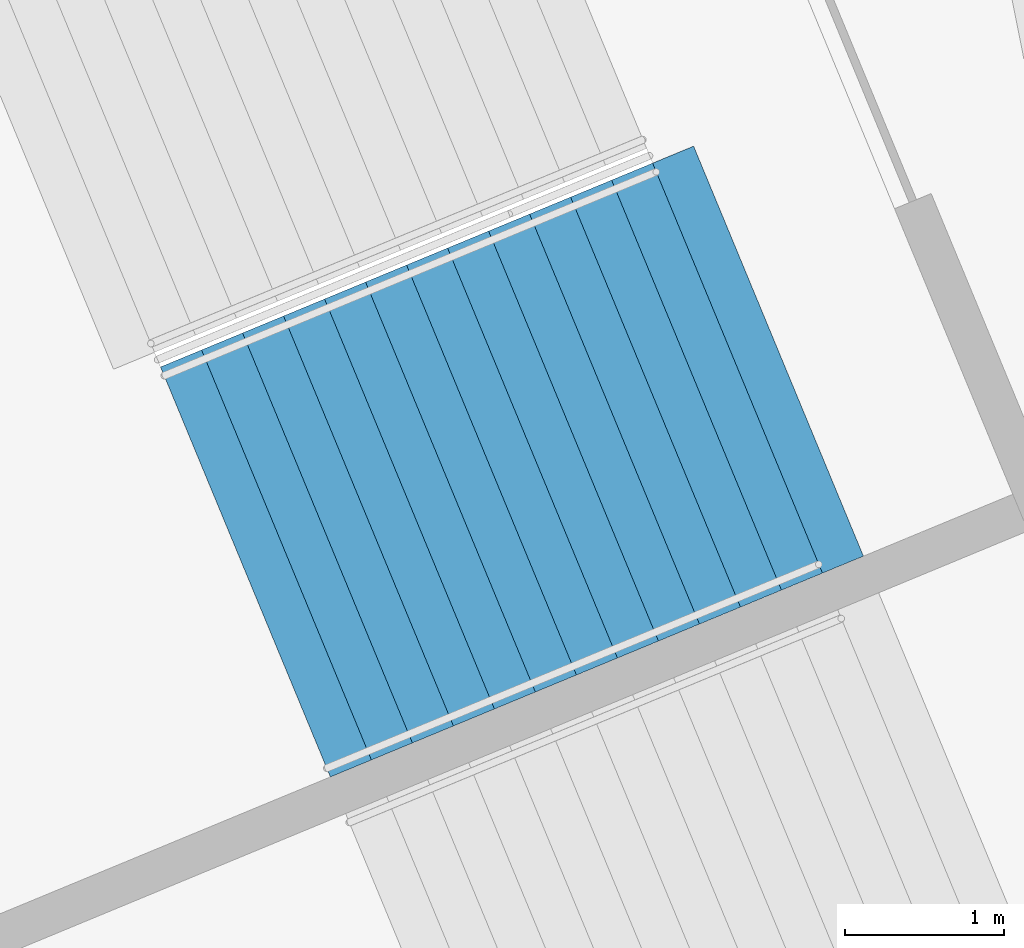
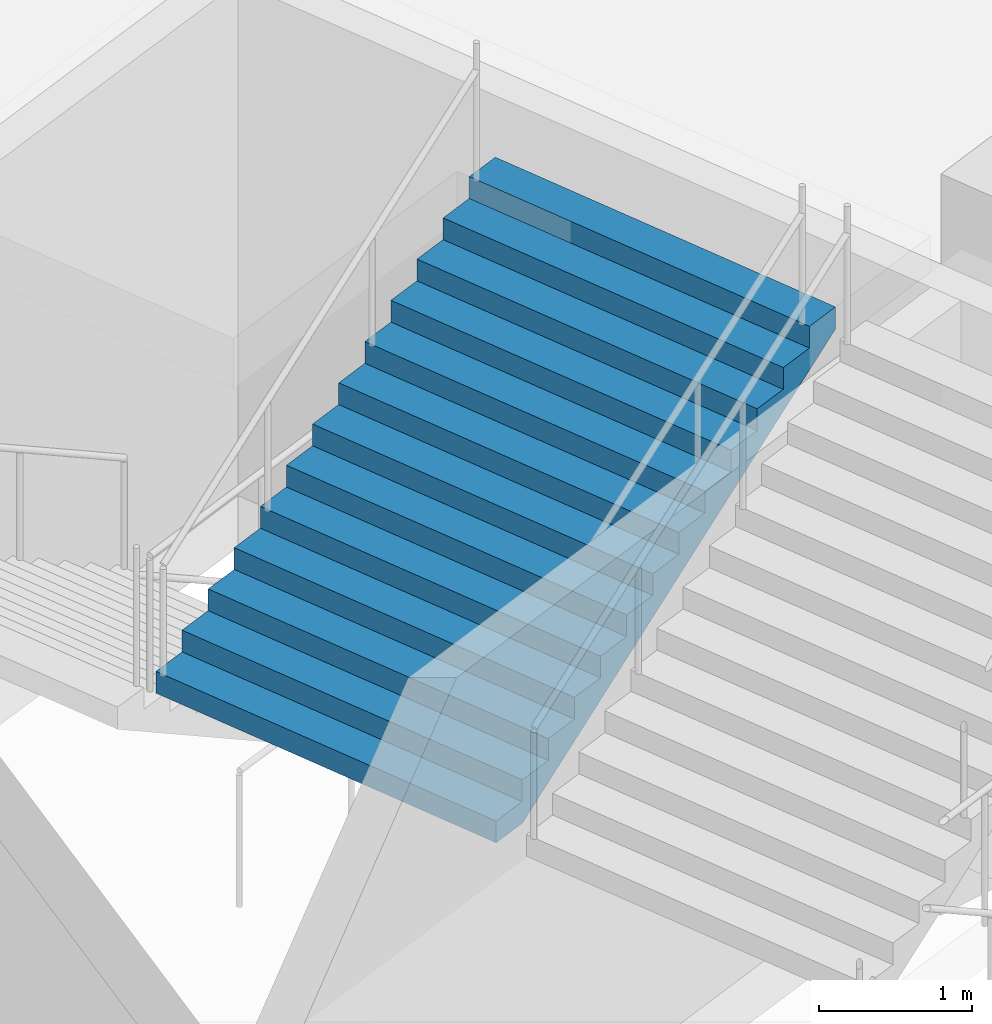
# One storey, part 139 of 249: 1 stair flight, 1 element without a shape of its own.
"""IFC4 building model written with IfcOpenShell, lengths in metres."""

from ifc_helpers import new_model, si_unit, direction, frame, origin, place, context, subcontext, project, spatial, faceted_brep, material, type_object, element, aggregate, save


model = new_model("IFC4")

# Units and contexts
model_context = context("Model", 3, precision=1e-05, world=origin(), true_north=direction((0.0, 1.0)))
body_context = subcontext(model_context, "Body", "Model", "MODEL_VIEW")
ifc_project = project(units=[si_unit("LENGTHUNIT", "METRE"), si_unit("AREAUNIT", "SQUARE_METRE"), si_unit("VOLUMEUNIT", "CUBIC_METRE"), si_unit("PLANEANGLEUNIT", "RADIAN"), si_unit("MASSUNIT", "GRAM", prefix="KILO")], contexts=[model_context])

# Site, building, storey
site_placement = place(None, origin())
site = spatial("IfcSite", under=ifc_project, at=site_placement, CompositionType="ELEMENT")
building_placement = place(site_placement, origin())
building = spatial("IfcBuilding", under=site, at=building_placement, Name="Ogive Plaza Stadium", CompositionType="ELEMENT")
storey_placement = place(building_placement, frame((0.0, 0.0, 13.5)))
storey = spatial("IfcBuildingStorey", under=building, at=storey_placement, Name="L03", CompositionType="ELEMENT", Elevation=13.5)

# Stair, stair flight
ifc_material_1 = material(Name="Concrete C40/50", Category="concrete")
stair_type = type_object("IfcStairType", Name="Exit stair", PredefinedType="STRAIGHT_RUN_STAIR", material=ifc_material_1)
stair_placement = place(storey_placement, origin())
stair = element("IfcStair", 1, at=stair_placement, inside=storey, type_object=stair_type, Name="Exit stair ST20A L03 to L04", PredefinedType="STRAIGHT_RUN_STAIR")
ifc_material_2 = material(Name="Concrete C40/50", Category="concrete")
stair_flight_type = type_object("IfcStairFlightType", Name="Exit stair flight", PredefinedType="STRAIGHT", material=ifc_material_2)
stair_flight_placement = place(storey_placement, frame((-76.814208984375, -68.58349609375, 2.25), z_axis=(0.0, 0.0, 1.0), x_axis=(0.923879532511, 0.382683432365, 0.0)))
stair_flight = element("IfcStairFlight", 2, at=stair_flight_placement, type_object=stair_flight_type, Name="ST20A flight 2", NumberOfRisers=13, NumberOfTreads=12, PredefinedType="STRAIGHT", RiserHeight=0.173076923, TreadLength=0.28, context=body_context, shape_type="Brep", body=[
    faceted_brep([(0.28515625, -1.39990234375, 0.0), (3.639892578125, -1.39990234375, 2.07373046875), (3.639892578125, -1.39990234375, 2.25), (3.360107421875, -1.39990234375, 2.25), (3.360107421875, -1.39990234375, 2.076904296875), (3.080078125, -1.39990234375, 2.076904296875), (3.080078125, -1.39990234375, 1.90380859375), (2.800048828125, -1.39990234375, 1.90380859375), (2.800048828125, -1.39990234375, 1.730712890625), (2.52001953125, -1.39990234375, 1.730712890625), (2.52001953125, -1.39990234375, 1.5576171875), (2.239990234375, -1.39990234375, 1.5576171875), (2.239990234375, -1.39990234375, 1.384521484375), (1.9599609375, -1.39990234375, 1.384521484375), (1.9599609375, -1.39990234375, 1.21142578125), (1.679931640625, -1.39990234375, 1.21142578125), (1.679931640625, -1.39990234375, 1.03857421875), (1.39990234375, -1.39990234375, 1.03857421875), (1.39990234375, -1.39990234375, 0.865478515625), (1.1201171875, -1.39990234375, 0.865478515625), (1.1201171875, -1.39990234375, 0.6923828125), (0.840087890625, -1.39990234375, 0.6923828125), (0.840087890625, -1.39990234375, 0.519287109375), (0.56005859375, -1.39990234375, 0.519287109375), (0.56005859375, -1.39990234375, 0.34619140625), (0.280029296875, -1.39990234375, 0.34619140625), (0.280029296875, -1.39990234375, 0.173095703125), (0.0, -1.39990234375, 0.173095703125), (0.0, -1.39990234375, 0.0), (0.0, 1.39990234375, 0.0), (0.0, 1.39990234375, 0.173095703125), (0.280029296875, 1.39990234375, 0.173095703125), (0.280029296875, 1.39990234375, 0.34619140625), (0.56005859375, 1.39990234375, 0.34619140625), (0.56005859375, 1.39990234375, 0.519287109375), (0.840087890625, 1.39990234375, 0.519287109375), (0.840087890625, 1.39990234375, 0.6923828125), (1.1201171875, 1.39990234375, 0.6923828125), (1.1201171875, 1.39990234375, 0.865478515625), (1.39990234375, 1.39990234375, 0.865478515625), (1.39990234375, 1.39990234375, 1.03857421875), (1.679931640625, 1.39990234375, 1.03857421875), (1.679931640625, 1.39990234375, 1.21142578125), (1.9599609375, 1.39990234375, 1.21142578125), (1.9599609375, 1.39990234375, 1.384521484375), (2.239990234375, 1.39990234375, 1.384521484375), (2.239990234375, 1.39990234375, 1.5576171875), (2.52001953125, 1.39990234375, 1.5576171875), (2.52001953125, 1.39990234375, 1.730712890625), (2.800048828125, 1.39990234375, 1.730712890625), (2.800048828125, 1.39990234375, 1.90380859375), (3.080078125, 1.39990234375, 1.90380859375), (3.080078125, 1.39990234375, 2.076904296875), (3.360107421875, 1.39990234375, 2.076904296875), (3.360107421875, 1.39990234375, 2.25), (3.639892578125, 1.39990234375, 2.25), (3.639892578125, 1.39990234375, 2.07373046875), (0.28515625, 1.39990234375, 0.0), (0.28515625, -1.0888671875, 0.0), (3.639892578125, -1.0888671875, 2.07373046875), (0.28515625, -0.77783203125, 0.0), (3.639892578125, -0.77783203125, 2.07373046875), (0.28515625, -0.466796875, 0.0), (3.639892578125, -0.466796875, 2.07373046875), (0.28515625, -0.155517578125, 0.0), (3.639892578125, -0.155517578125, 2.07373046875), (0.28515625, 0.155517578125, 0.0), (3.639892578125, 0.155517578125, 2.07373046875), (0.28515625, 0.466796875, 0.0), (3.639892578125, 0.466796875, 2.07373046875), (0.28515625, 0.77783203125, 0.0), (3.639892578125, 0.77783203125, 2.07373046875), (0.28515625, 1.0888671875, 0.0), (3.639892578125, 1.0888671875, 2.07373046875), (3.639892578125, -1.0888671875, 2.25), (3.639892578125, -0.77783203125, 2.25), (3.639892578125, -0.466796875, 2.25), (3.639892578125, -0.155517578125, 2.25), (3.639892578125, 0.155517578125, 2.25), (3.639892578125, 0.466796875, 2.25), (3.639892578125, 0.77783203125, 2.25), (3.639892578125, 1.0888671875, 2.25), (3.360107421875, -1.0888671875, 2.25), (3.360107421875, -0.77783203125, 2.25), (3.360107421875, -0.466796875, 2.25), (3.360107421875, -0.155517578125, 2.25), (3.360107421875, 0.155517578125, 2.25), (3.360107421875, 0.466796875, 2.25), (3.360107421875, 0.77783203125, 2.25), (3.360107421875, 1.0888671875, 2.25), (3.360107421875, -1.0888671875, 2.076904296875), (3.360107421875, -0.77783203125, 2.076904296875), (3.360107421875, -0.466796875, 2.076904296875), (3.360107421875, -0.155517578125, 2.076904296875), (3.360107421875, 0.155517578125, 2.076904296875), (3.360107421875, 0.466796875, 2.076904296875), (3.360107421875, 0.77783203125, 2.076904296875), (3.360107421875, 1.0888671875, 2.076904296875), (3.080078125, -1.0888671875, 2.076904296875), (3.080078125, -0.77783203125, 2.076904296875), (3.080078125, -0.466796875, 2.076904296875), (3.080078125, -0.155517578125, 2.076904296875), (3.080078125, 0.155517578125, 2.076904296875), (3.080078125, 0.466796875, 2.076904296875), (3.080078125, 0.77783203125, 2.076904296875), (3.080078125, 1.0888671875, 2.076904296875), (3.080078125, -1.0888671875, 1.90380859375), (3.080078125, -0.77783203125, 1.90380859375), (3.080078125, -0.466796875, 1.90380859375), (3.080078125, -0.155517578125, 1.90380859375), (3.080078125, 0.155517578125, 1.90380859375), (3.080078125, 0.466796875, 1.90380859375), (3.080078125, 0.77783203125, 1.90380859375), (3.080078125, 1.0888671875, 1.90380859375), (2.800048828125, -1.0888671875, 1.90380859375), (2.800048828125, -0.77783203125, 1.90380859375), (2.800048828125, -0.466796875, 1.90380859375), (2.800048828125, -0.155517578125, 1.90380859375), (2.800048828125, 0.155517578125, 1.90380859375), (2.800048828125, 0.466796875, 1.90380859375), (2.800048828125, 0.77783203125, 1.90380859375), (2.800048828125, 1.0888671875, 1.90380859375), (2.800048828125, -1.0888671875, 1.730712890625), (2.800048828125, -0.77783203125, 1.730712890625), (2.800048828125, -0.466796875, 1.730712890625), (2.800048828125, -0.155517578125, 1.730712890625), (2.800048828125, 0.155517578125, 1.730712890625), (2.800048828125, 0.466796875, 1.730712890625), (2.800048828125, 0.77783203125, 1.730712890625), (2.800048828125, 1.0888671875, 1.730712890625), (2.52001953125, -1.0888671875, 1.730712890625), (2.52001953125, -0.77783203125, 1.730712890625), (2.52001953125, -0.466796875, 1.730712890625), (2.52001953125, -0.155517578125, 1.730712890625), (2.52001953125, 0.155517578125, 1.730712890625), (2.52001953125, 0.466796875, 1.730712890625), (2.52001953125, 0.77783203125, 1.730712890625), (2.52001953125, 1.0888671875, 1.730712890625), (2.52001953125, -1.0888671875, 1.5576171875), (2.52001953125, -0.77783203125, 1.5576171875), (2.52001953125, -0.466796875, 1.5576171875), (2.52001953125, -0.155517578125, 1.5576171875), (2.52001953125, 0.155517578125, 1.5576171875), (2.52001953125, 0.466796875, 1.5576171875), (2.52001953125, 0.77783203125, 1.5576171875), (2.52001953125, 1.0888671875, 1.5576171875), (2.239990234375, -1.0888671875, 1.5576171875), (2.239990234375, -0.77783203125, 1.5576171875), (2.239990234375, -0.466796875, 1.5576171875), (2.239990234375, -0.155517578125, 1.5576171875), (2.239990234375, 0.155517578125, 1.5576171875), (2.239990234375, 0.466796875, 1.5576171875), (2.239990234375, 0.77783203125, 1.5576171875), (2.239990234375, 1.0888671875, 1.5576171875), (2.239990234375, -1.0888671875, 1.384521484375), (2.239990234375, -0.77783203125, 1.384521484375), (2.239990234375, -0.466796875, 1.384521484375), (2.239990234375, -0.155517578125, 1.384521484375), (2.239990234375, 0.155517578125, 1.384521484375), (2.239990234375, 0.466796875, 1.384521484375), (2.239990234375, 0.77783203125, 1.384521484375), (2.239990234375, 1.0888671875, 1.384521484375), (1.9599609375, -1.0888671875, 1.384521484375), (1.9599609375, -0.77783203125, 1.384521484375), (1.9599609375, -0.466796875, 1.384521484375), (1.9599609375, -0.155517578125, 1.384521484375), (1.9599609375, 0.155517578125, 1.384521484375), (1.9599609375, 0.466796875, 1.384521484375), (1.9599609375, 0.77783203125, 1.384521484375), (1.9599609375, 1.0888671875, 1.384521484375), (1.9599609375, -1.0888671875, 1.21142578125), (1.9599609375, -0.77783203125, 1.21142578125), (1.9599609375, -0.466796875, 1.21142578125), (1.9599609375, -0.155517578125, 1.21142578125), (1.9599609375, 0.155517578125, 1.21142578125), (1.9599609375, 0.466796875, 1.21142578125), (1.9599609375, 0.77783203125, 1.21142578125), (1.9599609375, 1.0888671875, 1.21142578125), (1.679931640625, -1.0888671875, 1.21142578125), (1.679931640625, -0.77783203125, 1.21142578125), (1.679931640625, -0.466796875, 1.21142578125), (1.679931640625, -0.155517578125, 1.21142578125), (1.679931640625, 0.155517578125, 1.21142578125), (1.679931640625, 0.466796875, 1.21142578125), (1.679931640625, 0.77783203125, 1.21142578125), (1.679931640625, 1.0888671875, 1.21142578125), (1.679931640625, -1.0888671875, 1.03857421875), (1.679931640625, -0.77783203125, 1.03857421875), (1.679931640625, -0.466796875, 1.03857421875), (1.679931640625, -0.155517578125, 1.03857421875), (1.679931640625, 0.155517578125, 1.03857421875), (1.679931640625, 0.466796875, 1.03857421875), (1.679931640625, 0.77783203125, 1.03857421875), (1.679931640625, 1.0888671875, 1.03857421875), (1.39990234375, -1.0888671875, 1.03857421875), (1.39990234375, -0.77783203125, 1.03857421875), (1.39990234375, -0.466796875, 1.03857421875), (1.39990234375, -0.155517578125, 1.03857421875), (1.39990234375, 0.155517578125, 1.03857421875), (1.39990234375, 0.466796875, 1.03857421875), (1.39990234375, 0.77783203125, 1.03857421875), (1.39990234375, 1.0888671875, 1.03857421875), (1.39990234375, -1.0888671875, 0.865478515625), (1.39990234375, -0.77783203125, 0.865478515625), (1.39990234375, -0.466796875, 0.865478515625), (1.39990234375, -0.155517578125, 0.865478515625), (1.39990234375, 0.155517578125, 0.865478515625), (1.39990234375, 0.466796875, 0.865478515625), (1.39990234375, 0.77783203125, 0.865478515625), (1.39990234375, 1.0888671875, 0.865478515625), (1.1201171875, -1.0888671875, 0.865478515625), (1.1201171875, -0.77783203125, 0.865478515625), (1.1201171875, -0.466796875, 0.865478515625), (1.1201171875, -0.155517578125, 0.865478515625), (1.1201171875, 0.155517578125, 0.865478515625), (1.1201171875, 0.466796875, 0.865478515625), (1.1201171875, 0.77783203125, 0.865478515625), (1.1201171875, 1.0888671875, 0.865478515625), (1.1201171875, -1.0888671875, 0.6923828125), (1.1201171875, -0.77783203125, 0.6923828125), (1.1201171875, -0.466796875, 0.6923828125), (1.1201171875, -0.155517578125, 0.6923828125), (1.1201171875, 0.155517578125, 0.6923828125), (1.1201171875, 0.466796875, 0.6923828125), (1.1201171875, 0.77783203125, 0.6923828125), (1.1201171875, 1.0888671875, 0.6923828125), (0.840087890625, -1.0888671875, 0.6923828125), (0.840087890625, -0.77783203125, 0.6923828125), (0.840087890625, -0.466796875, 0.6923828125), (0.840087890625, -0.155517578125, 0.6923828125), (0.840087890625, 0.155517578125, 0.6923828125), (0.840087890625, 0.466796875, 0.6923828125), (0.840087890625, 0.77783203125, 0.6923828125), (0.840087890625, 1.0888671875, 0.6923828125), (0.840087890625, -1.0888671875, 0.519287109375), (0.840087890625, -0.77783203125, 0.519287109375), (0.840087890625, -0.466796875, 0.519287109375), (0.840087890625, -0.155517578125, 0.519287109375), (0.840087890625, 0.155517578125, 0.519287109375), (0.840087890625, 0.466796875, 0.519287109375), (0.840087890625, 0.77783203125, 0.519287109375), (0.840087890625, 1.0888671875, 0.519287109375), (0.56005859375, -1.0888671875, 0.519287109375), (0.56005859375, -0.77783203125, 0.519287109375), (0.56005859375, -0.466796875, 0.519287109375), (0.56005859375, -0.155517578125, 0.519287109375), (0.56005859375, 0.155517578125, 0.519287109375), (0.56005859375, 0.466796875, 0.519287109375), (0.56005859375, 0.77783203125, 0.519287109375), (0.56005859375, 1.0888671875, 0.519287109375), (0.56005859375, -1.0888671875, 0.34619140625), (0.56005859375, -0.77783203125, 0.34619140625), (0.56005859375, -0.466796875, 0.34619140625), (0.56005859375, -0.155517578125, 0.34619140625), (0.56005859375, 0.155517578125, 0.34619140625), (0.56005859375, 0.466796875, 0.34619140625), (0.56005859375, 0.77783203125, 0.34619140625), (0.56005859375, 1.0888671875, 0.34619140625), (0.280029296875, -1.0888671875, 0.34619140625), (0.280029296875, -0.77783203125, 0.34619140625), (0.280029296875, -0.466796875, 0.34619140625), (0.280029296875, -0.155517578125, 0.34619140625), (0.280029296875, 0.155517578125, 0.34619140625), (0.280029296875, 0.466796875, 0.34619140625), (0.280029296875, 0.77783203125, 0.34619140625), (0.280029296875, 1.0888671875, 0.34619140625), (0.280029296875, -1.0888671875, 0.173095703125), (0.280029296875, -0.77783203125, 0.173095703125), (0.280029296875, -0.466796875, 0.173095703125), (0.280029296875, -0.155517578125, 0.173095703125), (0.280029296875, 0.155517578125, 0.173095703125), (0.280029296875, 0.466796875, 0.173095703125), (0.280029296875, 0.77783203125, 0.173095703125), (0.280029296875, 1.0888671875, 0.173095703125), (0.0, -1.0888671875, 0.173095703125), (0.0, -0.77783203125, 0.173095703125), (0.0, -0.466796875, 0.173095703125), (0.0, -0.155517578125, 0.173095703125), (0.0, 0.155517578125, 0.173095703125), (0.0, 0.466796875, 0.173095703125), (0.0, 0.77783203125, 0.173095703125), (0.0, 1.0888671875, 0.173095703125), (0.0, -1.0888671875, 0.0), (0.0, -0.77783203125, 0.0), (0.0, -0.466796875, 0.0), (0.0, -0.155517578125, 0.0), (0.0, 0.155517578125, 0.0), (0.0, 0.466796875, 0.0), (0.0, 0.77783203125, 0.0), (0.0, 1.0888671875, 0.0)], [[[0, 1, 2, 3, 4, 5, 6, 7, 8, 9, 10, 11, 12, 13, 14, 15, 16, 17, 18, 19, 20, 21, 22, 23, 24, 25, 26, 27, 28]], [[29, 30, 31, 32, 33, 34, 35, 36, 37, 38, 39, 40, 41, 42, 43, 44, 45, 46, 47, 48, 49, 50, 51, 52, 53, 54, 55, 56, 57]], [[0, 58, 59, 1]], [[58, 60, 61, 59]], [[60, 62, 63, 61]], [[62, 64, 65, 63]], [[64, 66, 67, 65]], [[66, 68, 69, 67]], [[68, 70, 71, 69]], [[70, 72, 73, 71]], [[72, 57, 56, 73]], [[1, 59, 74, 2]], [[59, 61, 75, 74]], [[61, 63, 76, 75]], [[63, 65, 77, 76]], [[65, 67, 78, 77]], [[67, 69, 79, 78]], [[69, 71, 80, 79]], [[71, 73, 81, 80]], [[73, 56, 55, 81]], [[2, 74, 82, 3]], [[74, 75, 83, 82]], [[75, 76, 84, 83]], [[76, 77, 85, 84]], [[77, 78, 86, 85]], [[78, 79, 87, 86]], [[79, 80, 88, 87]], [[80, 81, 89, 88]], [[81, 55, 54, 89]], [[3, 82, 90, 4]], [[82, 83, 91, 90]], [[83, 84, 92, 91]], [[84, 85, 93, 92]], [[85, 86, 94, 93]], [[86, 87, 95, 94]], [[87, 88, 96, 95]], [[88, 89, 97, 96]], [[89, 54, 53, 97]], [[4, 90, 98, 5]], [[90, 91, 99, 98]], [[91, 92, 100, 99]], [[92, 93, 101, 100]], [[93, 94, 102, 101]], [[94, 95, 103, 102]], [[95, 96, 104, 103]], [[96, 97, 105, 104]], [[97, 53, 52, 105]], [[5, 98, 106, 6]], [[98, 99, 107, 106]], [[99, 100, 108, 107]], [[100, 101, 109, 108]], [[101, 102, 110, 109]], [[102, 103, 111, 110]], [[103, 104, 112, 111]], [[104, 105, 113, 112]], [[105, 52, 51, 113]], [[6, 106, 114, 7]], [[106, 107, 115, 114]], [[107, 108, 116, 115]], [[108, 109, 117, 116]], [[109, 110, 118, 117]], [[110, 111, 119, 118]], [[111, 112, 120, 119]], [[112, 113, 121, 120]], [[113, 51, 50, 121]], [[7, 114, 122, 8]], [[114, 115, 123, 122]], [[115, 116, 124, 123]], [[116, 117, 125, 124]], [[117, 118, 126, 125]], [[118, 119, 127, 126]], [[119, 120, 128, 127]], [[120, 121, 129, 128]], [[121, 50, 49, 129]], [[8, 122, 130, 9]], [[122, 123, 131, 130]], [[123, 124, 132, 131]], [[124, 125, 133, 132]], [[125, 126, 134, 133]], [[126, 127, 135, 134]], [[127, 128, 136, 135]], [[128, 129, 137, 136]], [[129, 49, 48, 137]], [[9, 130, 138, 10]], [[130, 131, 139, 138]], [[131, 132, 140, 139]], [[132, 133, 141, 140]], [[133, 134, 142, 141]], [[134, 135, 143, 142]], [[135, 136, 144, 143]], [[136, 137, 145, 144]], [[137, 48, 47, 145]], [[10, 138, 146, 11]], [[138, 139, 147, 146]], [[139, 140, 148, 147]], [[140, 141, 149, 148]], [[141, 142, 150, 149]], [[142, 143, 151, 150]], [[143, 144, 152, 151]], [[144, 145, 153, 152]], [[145, 47, 46, 153]], [[11, 146, 154, 12]], [[146, 147, 155, 154]], [[147, 148, 156, 155]], [[148, 149, 157, 156]], [[149, 150, 158, 157]], [[150, 151, 159, 158]], [[151, 152, 160, 159]], [[152, 153, 161, 160]], [[153, 46, 45, 161]], [[12, 154, 162, 13]], [[154, 155, 163, 162]], [[155, 156, 164, 163]], [[156, 157, 165, 164]], [[157, 158, 166, 165]], [[158, 159, 167, 166]], [[159, 160, 168, 167]], [[160, 161, 169, 168]], [[161, 45, 44, 169]], [[13, 162, 170, 14]], [[162, 163, 171, 170]], [[163, 164, 172, 171]], [[164, 165, 173, 172]], [[165, 166, 174, 173]], [[166, 167, 175, 174]], [[167, 168, 176, 175]], [[168, 169, 177, 176]], [[169, 44, 43, 177]], [[14, 170, 178, 15]], [[170, 171, 179, 178]], [[171, 172, 180, 179]], [[172, 173, 181, 180]], [[173, 174, 182, 181]], [[174, 175, 183, 182]], [[175, 176, 184, 183]], [[176, 177, 185, 184]], [[177, 43, 42, 185]], [[15, 178, 186, 16]], [[178, 179, 187, 186]], [[179, 180, 188, 187]], [[180, 181, 189, 188]], [[181, 182, 190, 189]], [[182, 183, 191, 190]], [[183, 184, 192, 191]], [[184, 185, 193, 192]], [[185, 42, 41, 193]], [[16, 186, 194, 17]], [[186, 187, 195, 194]], [[187, 188, 196, 195]], [[188, 189, 197, 196]], [[189, 190, 198, 197]], [[190, 191, 199, 198]], [[191, 192, 200, 199]], [[192, 193, 201, 200]], [[193, 41, 40, 201]], [[17, 194, 202, 18]], [[194, 195, 203, 202]], [[195, 196, 204, 203]], [[196, 197, 205, 204]], [[197, 198, 206, 205]], [[198, 199, 207, 206]], [[199, 200, 208, 207]], [[200, 201, 209, 208]], [[201, 40, 39, 209]], [[18, 202, 210, 19]], [[202, 203, 211, 210]], [[203, 204, 212, 211]], [[204, 205, 213, 212]], [[205, 206, 214, 213]], [[206, 207, 215, 214]], [[207, 208, 216, 215]], [[208, 209, 217, 216]], [[209, 39, 38, 217]], [[19, 210, 218, 20]], [[210, 211, 219, 218]], [[211, 212, 220, 219]], [[212, 213, 221, 220]], [[213, 214, 222, 221]], [[214, 215, 223, 222]], [[215, 216, 224, 223]], [[216, 217, 225, 224]], [[217, 38, 37, 225]], [[20, 218, 226, 21]], [[218, 219, 227, 226]], [[219, 220, 228, 227]], [[220, 221, 229, 228]], [[221, 222, 230, 229]], [[222, 223, 231, 230]], [[223, 224, 232, 231]], [[224, 225, 233, 232]], [[225, 37, 36, 233]], [[21, 226, 234, 22]], [[226, 227, 235, 234]], [[227, 228, 236, 235]], [[228, 229, 237, 236]], [[229, 230, 238, 237]], [[230, 231, 239, 238]], [[231, 232, 240, 239]], [[232, 233, 241, 240]], [[233, 36, 35, 241]], [[22, 234, 242, 23]], [[234, 235, 243, 242]], [[235, 236, 244, 243]], [[236, 237, 245, 244]], [[237, 238, 246, 245]], [[238, 239, 247, 246]], [[239, 240, 248, 247]], [[240, 241, 249, 248]], [[241, 35, 34, 249]], [[23, 242, 250, 24]], [[242, 243, 251, 250]], [[243, 244, 252, 251]], [[244, 245, 253, 252]], [[245, 246, 254, 253]], [[246, 247, 255, 254]], [[247, 248, 256, 255]], [[248, 249, 257, 256]], [[249, 34, 33, 257]], [[24, 250, 258, 25]], [[250, 251, 259, 258]], [[251, 252, 260, 259]], [[252, 253, 261, 260]], [[253, 254, 262, 261]], [[254, 255, 263, 262]], [[255, 256, 264, 263]], [[256, 257, 265, 264]], [[257, 33, 32, 265]], [[25, 258, 266, 26]], [[258, 259, 267, 266]], [[259, 260, 268, 267]], [[260, 261, 269, 268]], [[261, 262, 270, 269]], [[262, 263, 271, 270]], [[263, 264, 272, 271]], [[264, 265, 273, 272]], [[265, 32, 31, 273]], [[26, 266, 274, 27]], [[266, 267, 275, 274]], [[267, 268, 276, 275]], [[268, 269, 277, 276]], [[269, 270, 278, 277]], [[270, 271, 279, 278]], [[271, 272, 280, 279]], [[272, 273, 281, 280]], [[273, 31, 30, 281]], [[27, 274, 282, 28]], [[274, 275, 283, 282]], [[275, 276, 284, 283]], [[276, 277, 285, 284]], [[277, 278, 286, 285]], [[278, 279, 287, 286]], [[279, 280, 288, 287]], [[280, 281, 289, 288]], [[281, 30, 29, 289]], [[28, 282, 58, 0]], [[282, 283, 60, 58]], [[283, 284, 62, 60]], [[284, 285, 64, 62]], [[285, 286, 66, 64]], [[286, 287, 68, 66]], [[287, 288, 70, 68]], [[288, 289, 72, 70]], [[289, 29, 57, 72]]]),
])
aggregate(stair, [stair_flight])

save(model, "model.ifc")
